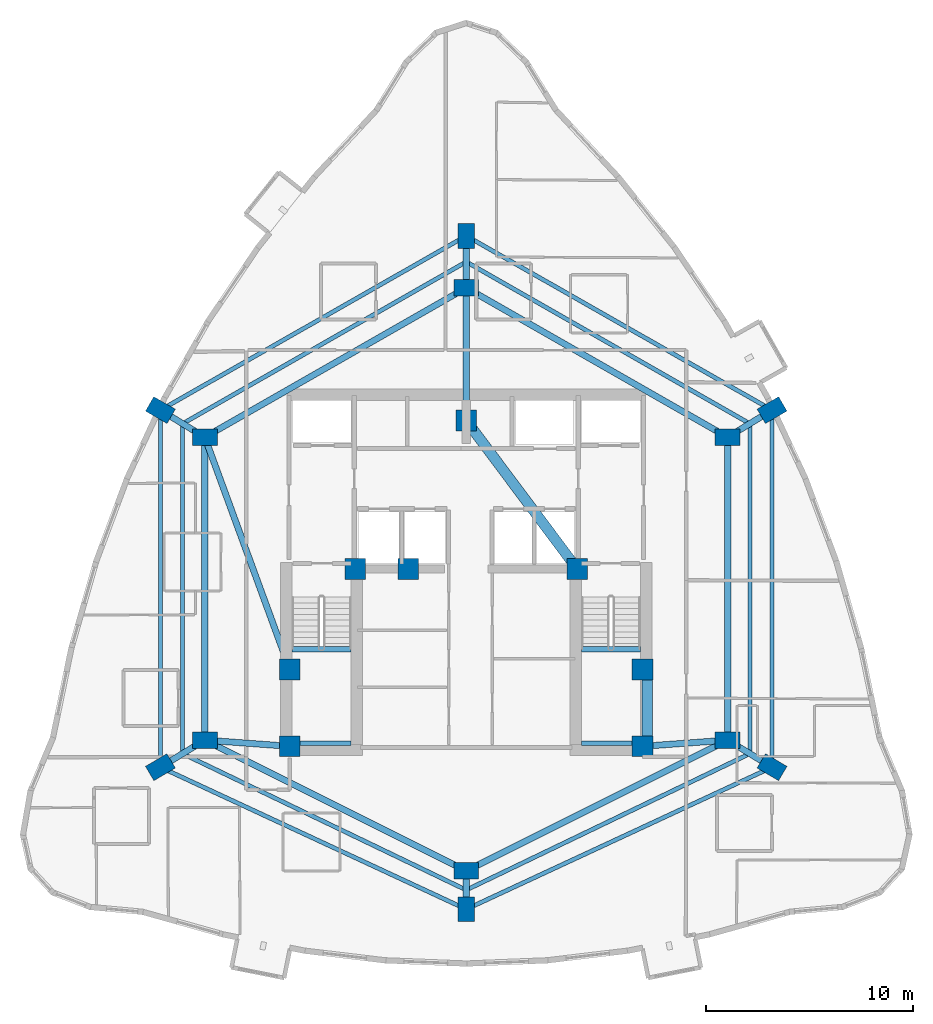
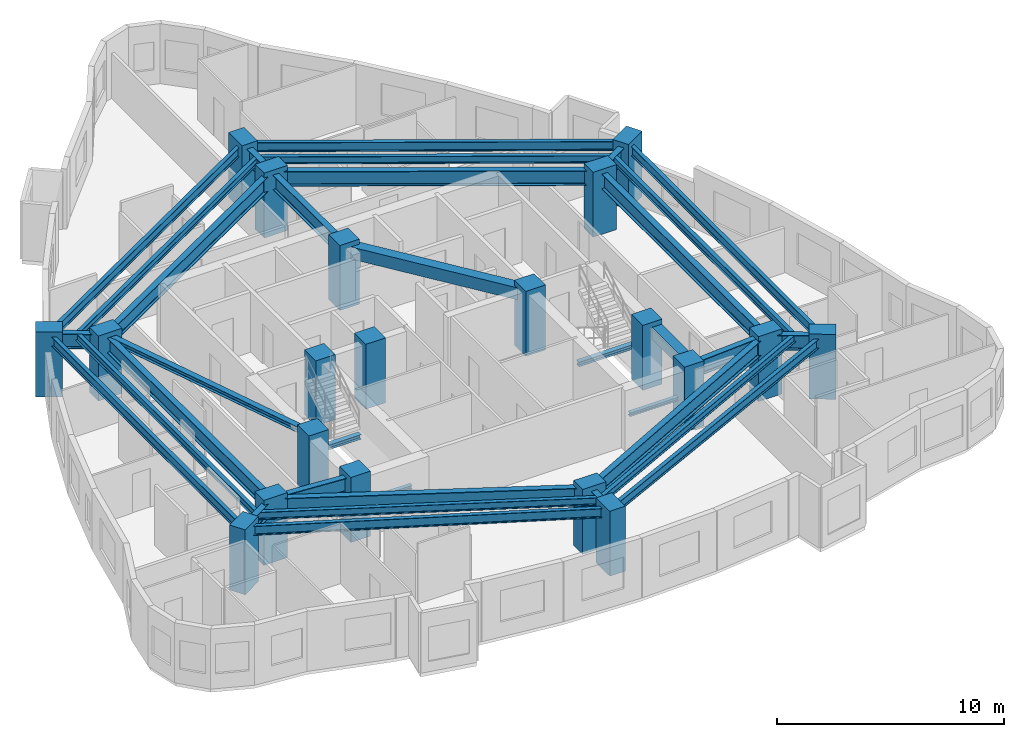
# One storey, part 1 of 11: 34 beams, 20 columns.
"""IFC4 building model written with IfcOpenShell, lengths in metres."""

from ifc_helpers import new_model, si_unit, direction, frame, origin, origin_2d, place, context, subcontext, project, spatial, rectangle, i_section, extrude, material, material_profile, profile_set, type_object, element, save


model = new_model("IFC4")

# Units and contexts
model_context = context("Model", 3, precision=1e-05, world=origin(), true_north=direction((0.0, 1.0)))
body_context = subcontext(model_context, "Body", "Model", "MODEL_VIEW")
ifc_project = project(units=[si_unit("LENGTHUNIT", "METRE"), si_unit("AREAUNIT", "SQUARE_METRE"), si_unit("VOLUMEUNIT", "CUBIC_METRE"), si_unit("PLANEANGLEUNIT", "RADIAN"), si_unit("MASSUNIT", "GRAM", prefix="KILO")], contexts=[model_context])

# Site, building, storey
site_placement = place(None, origin())
site = spatial("IfcSite", under=ifc_project, at=site_placement, CompositionType="ELEMENT")
building_placement = place(site_placement, origin())
building = spatial("IfcBuilding", under=site, at=building_placement, Name="Miruveldt Soraemaru", CompositionType="ELEMENT")
storey_placement = place(building_placement, frame((0.0, 0.0, 159.89990234375)))
storey = spatial("IfcBuildingStorey", under=building, at=storey_placement, Name="L44", CompositionType="ELEMENT", Elevation=159.89990234375)

# Columns
ifc_material_1 = material(Name="Concrete C60/75 (60 MPa)", Category="concrete")
ifc_material_profile_1 = material_profile(ifc_material_1, rectangle(XDim=1.0, YDim=1.0, at=origin_2d()), Name="Concrete C60/75 (60 MPa)", Category="concrete")
ifc_profile_set_1 = profile_set([ifc_material_profile_1], Name="Concrete C60/75 (60 MPa)")
column_type_1 = type_object("IfcColumnType", Name="COL-CORE-1000", PredefinedType="COLUMN", material=ifc_profile_set_1)
for number, where, z_axis, x_axis, name in (
    (1, (35.5, 35.5, 0.0), (0.0, 0.0, 1.0), (1.0, 0.0, 0.0), "L44 Structural Column CC1"),
    (2, (38.64990234375, 44.050048828125, 0.0), (0.0, 0.0, 1.0), (1.0, 0.0, 0.0), "L44 Structural Column CC2"),
    (3, (52.5, 35.5, 0.0), (0.0, 0.0, 1.0), (1.0, 0.0, 0.0), "L44 Structural Column CC3"),
    (4, (52.5, 39.199951171875, 0.0), (0.0, 0.0, 1.0), (1.0, 0.0, 0.0), "L44 Structural Column CC4"),
    (5, (49.35009765625, 44.050048828125, 0.0), (0.0, 0.0, 1.0), (1.0, 0.0, 0.0), "L44 Structural Column CC5"),
    (6, (44.0, 51.199951171875, 0.0), (0.0, 0.0, 1.0), (1.0, 0.0, 0.0), "L44 Structural Column CC6"),
    (7, (35.5, 39.199951171875, 0.0), (0.0, 0.0, 1.0), (1.0, 0.0, 0.0), "L44 Structural Column CC7"),
    (8, (41.199951171875, 44.050048828125, 0.0), (0.0, 0.0, 1.0), (1.0, 0.0, 0.0), "L44 Structural Column CC8"),
):
    element("IfcColumn", number, at=place(storey_placement, frame(where, z_axis=z_axis, x_axis=x_axis)), inside=storey, type_object=column_type_1, Name=name, PredefinedType="COLUMN", context=body_context, shape_type="SweptSolid", body=[
        extrude(rectangle(XDim=1.0, YDim=1.0, at=origin_2d()), origin(), (0.0, 0.0, 1.0), 3.5),
    ])
ifc_material_2 = material(Name="Concrete C70/85 (70 MPa)", Category="concrete")
ifc_material_profile_2 = material_profile(ifc_material_2, rectangle(XDim=1.199951171875, YDim=0.800048828125, at=origin_2d()), Name="Concrete C70/85 (70 MPa)", Category="concrete")
ifc_profile_set_2 = profile_set([ifc_material_profile_2], Name="Concrete C70/85 (70 MPa)")
column_type_2 = type_object("IfcColumnType", Name="COL-TW-Z2", PredefinedType="COLUMN", material=ifc_profile_set_2)
for number, where, z_axis, x_axis, name in (
    (9, (44.0, 57.60009765625, 0.0), (0.0, 0.0, 1.0), (1.0, 0.0, 0.0), "L44 Structural Column IR01"),
    (10, (56.60009765625, 50.39990234375, 0.0), (0.0, 0.0, 1.0), (1.0, 0.0, 0.0), "L44 Structural Column IR02"),
    (11, (56.60009765625, 35.800048828125, 0.0), (0.0, 0.0, 1.0), (1.0, 0.0, 0.0), "L44 Structural Column IR03"),
    (12, (44.0, 29.5, 0.0), (0.0, 0.0, 1.0), (1.0, 0.0, 0.0), "L44 Structural Column IR04"),
    (13, (31.39990234375, 35.800048828125, 0.0), (0.0, 0.0, 1.0), (1.0, 0.0, 0.0), "L44 Structural Column IR05"),
    (14, (31.39990234375, 50.39990234375, 0.0), (0.0, 0.0, 1.0), (1.0, 0.0, 0.0), "L44 Structural Column IR06"),
    (15, (44.0, 60.10595703125, 0.0), (0.0, 0.0, 1.0), (0.0, 1.0, 0.0), "L44 Structural Column Z2P01"),
    (16, (58.739990234375, 51.705078125, 0.0), (0.0, 0.0, 1.0), (0.866025403784, 0.5, 0.0), "L44 Structural Column Z2P02"),
    (17, (58.739990234375, 34.4951171875, 0.0), (0.0, 0.0, 1.0), (-0.860742027004, 0.50904141575, 0.0), "L44 Structural Column Z2P03"),
    (18, (44.0, 27.64697265625, 0.0), (0.0, 0.0, 1.0), (0.0, 1.0, 0.0), "L44 Structural Column Z2P04"),
    (19, (29.260009765625, 34.4951171875, 0.0), (0.0, 0.0, 1.0), (0.860742027004, 0.50904141575, 0.0), "L44 Structural Column Z2P05"),
    (20, (29.260009765625, 51.705078125, 0.0), (0.0, 0.0, 1.0), (-0.866025403784, 0.5, 0.0), "L44 Structural Column Z2P06"),
):
    element("IfcColumn", number, at=place(storey_placement, frame(where, z_axis=z_axis, x_axis=x_axis)), inside=storey, type_object=column_type_2, Name=name, PredefinedType="COLUMN", context=body_context, shape_type="SweptSolid", body=[
        extrude(rectangle(XDim=1.199951171875, YDim=0.800048828125, at=origin_2d()), origin(), (0.0, 0.0, 1.0), 3.5),
    ])

# Beams
ifc_material_3 = material(Name="Steel SM355 (355 MPa)", Category="steel")
ifc_material_profile_3 = material_profile(ifc_material_3, i_section(OverallWidth=0.300048828125, OverallDepth=0.300048828125, WebThickness=0.010009765625, FlangeThickness=0.014892578125, FilletRadius=0.01806640625, at=origin_2d()), Name="Steel SM355 (355 MPa)", Category="steel")
ifc_profile_set_3 = profile_set([ifc_material_profile_3], Name="Steel SM355 (355 MPa)")
beam_type_1 = type_object("IfcBeamType", Name="BM-LNT-H300", PredefinedType="LINTEL", material=ifc_profile_set_3)
beam_1_placement = place(storey_placement, frame((31.39990234375, 50.39990234375, 3.085205078125), z_axis=(0.343770424598, -0.939053723262, 0.0), x_axis=(0.939053723262, 0.343770424598, 0.0)))
element("IfcBeam", 21, at=beam_1_placement, inside=storey, type_object=beam_type_1, Name="L44 West Lobby Lintel", PredefinedType="LINTEL", context=body_context, shape_type="SweptSolid", body=[
    extrude(i_section(OverallWidth=0.300048828125, OverallDepth=0.300048828125, WebThickness=0.010009765625, FlangeThickness=0.014892578125, FilletRadius=0.01806640625, at=origin_2d()), origin(), (0.0, 0.0, 1.0), 11.9267578125),
])
ifc_material_4 = material(Name="Concrete C50/60 (50 MPa)", Category="concrete")
ifc_material_profile_4 = material_profile(ifc_material_4, rectangle(XDim=0.5, YDim=0.64990234375, at=origin_2d()), Name="Concrete C50/60 (50 MPa)", Category="concrete")
ifc_profile_set_4 = profile_set([ifc_material_profile_4], Name="Concrete C50/60 (50 MPa)")
beam_type_2 = type_object("IfcBeamType", Name="BM-RC-500x650", PredefinedType="BEAM", material=ifc_profile_set_4)
beam_2_placement = place(storey_placement, frame((52.72998046875, 35.5, 2.91015625), z_axis=(0.0, 1.0, 0.0), x_axis=(-1.0, 0.0, 0.0)))
element("IfcBeam", 22, at=beam_2_placement, inside=storey, type_object=beam_type_2, Name="L44 Core Tie Beam 3", PredefinedType="BEAM", context=body_context, shape_type="SweptSolid", body=[
    extrude(rectangle(XDim=0.5, YDim=0.64990234375, at=origin_2d()), origin(), (0.0, 0.0, 1.0), 3.699951171875),
])
beam_3_placement = place(storey_placement, frame((49.35009765625, 44.050048828125, 2.91015625), z_axis=(-0.599116023999, 0.800662219533, 0.0), x_axis=(-0.800662219533, -0.599116023999, 0.0)))
element("IfcBeam", 23, at=beam_3_placement, inside=storey, type_object=beam_type_2, Name="L44 Core Tie Beam 5", PredefinedType="BEAM", context=body_context, shape_type="SweptSolid", body=[
    extrude(rectangle(XDim=0.5, YDim=0.64990234375, at=origin_2d()), origin(), (0.0, 0.0, 1.0), 8.929931640625),
])
ifc_material_profile_5 = material_profile(ifc_material_3, i_section(OverallWidth=0.199951171875, OverallDepth=0.39990234375, WebThickness=0.008056640625, FlangeThickness=0.012939453125, FilletRadius=0.01611328125, at=origin_2d()), Name="Steel SM355 (355 MPa)", Category="steel")
ifc_profile_set_5 = profile_set([ifc_material_profile_5], Name="Steel SM355 (355 MPa)")
beam_type_3 = type_object("IfcBeamType", Name="BM-ST-H400", PredefinedType="JOIST", material=ifc_profile_set_5)
beam_4_placement = place(storey_placement, frame((44.0, 58.85302734375, 3.03515625), z_axis=(0.868539859756, -0.495619321672, 0.0), x_axis=(0.495619321672, 0.868539859756, 0.0)))
element("IfcBeam", 24, at=beam_4_placement, inside=storey, type_object=beam_type_3, Name="L44 Outer Bay Floor Joist 1", PredefinedType="JOIST", context=body_context, shape_type="SweptSolid", body=[
    extrude(i_section(OverallWidth=0.199951171875, OverallDepth=0.39990234375, WebThickness=0.008056640625, FlangeThickness=0.012939453125, FilletRadius=0.01611328125, at=origin_2d()), origin(), (0.0, 0.0, 1.0), 15.739013671875),
])
beam_5_placement = place(storey_placement, frame((57.669921875, 51.052490234375, 3.03515625), z_axis=(0.0, -1.0, 0.0), x_axis=(1.0, 0.0, 0.0)))
element("IfcBeam", 25, at=beam_5_placement, inside=storey, type_object=beam_type_3, Name="L44 Outer Bay Floor Joist 2", PredefinedType="JOIST", context=body_context, shape_type="SweptSolid", body=[
    extrude(i_section(OverallWidth=0.199951171875, OverallDepth=0.39990234375, WebThickness=0.008056640625, FlangeThickness=0.012939453125, FilletRadius=0.01611328125, at=origin_2d()), origin(), (0.0, 0.0, 1.0), 15.905029296875),
])
for number, where, z_axis, x_axis, name in (
    (26, (57.669921875, 35.1474609375, 3.03515625), (-0.901203586802, -0.433396002676, 0.0), (0.433396002676, -0.901203586802, 0.0), "L44 Outer Bay Floor Joist 3"),
    (27, (44.0, 28.573486328125, 3.03515625), (-0.901203586802, 0.433396002676, 0.0), (-0.433396002676, -0.901203586802, 0.0), "L44 Outer Bay Floor Joist 4"),
):
    element("IfcBeam", number, at=place(storey_placement, frame(where, z_axis=z_axis, x_axis=x_axis)), inside=storey, type_object=beam_type_3, Name=name, PredefinedType="JOIST", context=body_context, shape_type="SweptSolid", body=[
        extrude(i_section(OverallWidth=0.199951171875, OverallDepth=0.39990234375, WebThickness=0.008056640625, FlangeThickness=0.012939453125, FilletRadius=0.01611328125, at=origin_2d()), origin(), (0.0, 0.0, 1.0), 15.16845703125),
    ])
beam_6_placement = place(storey_placement, frame((30.330078125, 35.1474609375, 3.03515625), z_axis=(0.0, 1.0, 0.0), x_axis=(-1.0, 0.0, 0.0)))
element("IfcBeam", 28, at=beam_6_placement, inside=storey, type_object=beam_type_3, Name="L44 Outer Bay Floor Joist 5", PredefinedType="JOIST", context=body_context, shape_type="SweptSolid", body=[
    extrude(i_section(OverallWidth=0.199951171875, OverallDepth=0.39990234375, WebThickness=0.008056640625, FlangeThickness=0.012939453125, FilletRadius=0.01611328125, at=origin_2d()), origin(), (0.0, 0.0, 1.0), 15.905029296875),
])
beam_7_placement = place(storey_placement, frame((30.330078125, 51.052490234375, 3.03515625), z_axis=(0.868539859756, 0.495619321672, 0.0), x_axis=(-0.495619321672, 0.868539859756, 0.0)))
element("IfcBeam", 29, at=beam_7_placement, inside=storey, type_object=beam_type_3, Name="L44 Outer Bay Floor Joist 6", PredefinedType="JOIST", context=body_context, shape_type="SweptSolid", body=[
    extrude(i_section(OverallWidth=0.199951171875, OverallDepth=0.39990234375, WebThickness=0.008056640625, FlangeThickness=0.012939453125, FilletRadius=0.01611328125, at=origin_2d()), origin(), (0.0, 0.0, 1.0), 15.739013671875),
])
ifc_material_profile_6 = material_profile(ifc_material_3, i_section(OverallWidth=0.199951171875, OverallDepth=0.5, WebThickness=0.010009765625, FlangeThickness=0.01611328125, FilletRadius=0.02001953125, at=origin_2d()), Name="Steel SM355 (355 MPa)", Category="steel")
ifc_profile_set_6 = profile_set([ifc_material_profile_6], Name="Steel SM355 (355 MPa)")
beam_type_4 = type_object("IfcBeamType", Name="BM-ST-H500", PredefinedType="SPANDREL", material=ifc_profile_set_6)
beam_8_placement = place(storey_placement, frame((44.0, 60.10595703125, 2.985107421875), z_axis=(0.86880048516, -0.495162313778, 0.0), x_axis=(0.495162313778, 0.86880048516, 0.0)))
element("IfcBeam", 30, at=beam_8_placement, inside=storey, type_object=beam_type_4, Name="L44 Zone-2 Spandrel Beam 1", PredefinedType="SPANDREL", context=body_context, shape_type="SweptSolid", body=[
    extrude(i_section(OverallWidth=0.199951171875, OverallDepth=0.5, WebThickness=0.010009765625, FlangeThickness=0.01611328125, FilletRadius=0.02001953125, at=origin_2d()), origin(), (0.0, 0.0, 1.0), 16.9658203125),
])
beam_9_placement = place(storey_placement, frame((58.739990234375, 51.705078125, 2.985107421875), z_axis=(0.0, -1.0, 0.0), x_axis=(1.0, 0.0, 0.0)))
element("IfcBeam", 31, at=beam_9_placement, inside=storey, type_object=beam_type_4, Name="L44 Zone-2 Spandrel Beam 2", PredefinedType="SPANDREL", context=body_context, shape_type="SweptSolid", body=[
    extrude(i_section(OverallWidth=0.199951171875, OverallDepth=0.5, WebThickness=0.010009765625, FlangeThickness=0.01611328125, FilletRadius=0.02001953125, at=origin_2d()), origin(), (0.0, 0.0, 1.0), 17.2099609375),
])
for number, where, z_axis, x_axis, name in (
    (32, (58.739990234375, 34.4951171875, 2.985107421875), (-0.906901362829, -0.421342993414, 0.0), (0.421342993414, -0.906901362829, 0.0), "L44 Zone-2 Spandrel Beam 3"),
    (33, (44.0, 27.64697265625, 2.985107421875), (-0.906901362829, 0.421342993414, 0.0), (-0.421342993414, -0.906901362829, 0.0), "L44 Zone-2 Spandrel Beam 4"),
):
    element("IfcBeam", number, at=place(storey_placement, frame(where, z_axis=z_axis, x_axis=x_axis)), inside=storey, type_object=beam_type_4, Name=name, PredefinedType="SPANDREL", context=body_context, shape_type="SweptSolid", body=[
        extrude(i_section(OverallWidth=0.199951171875, OverallDepth=0.5, WebThickness=0.010009765625, FlangeThickness=0.01611328125, FilletRadius=0.02001953125, at=origin_2d()), origin(), (0.0, 0.0, 1.0), 16.253173828125),
    ])
beam_10_placement = place(storey_placement, frame((29.260009765625, 34.4951171875, 2.985107421875), z_axis=(0.0, 1.0, 0.0), x_axis=(-1.0, 0.0, 0.0)))
element("IfcBeam", 34, at=beam_10_placement, inside=storey, type_object=beam_type_4, Name="L44 Zone-2 Spandrel Beam 5", PredefinedType="SPANDREL", context=body_context, shape_type="SweptSolid", body=[
    extrude(i_section(OverallWidth=0.199951171875, OverallDepth=0.5, WebThickness=0.010009765625, FlangeThickness=0.01611328125, FilletRadius=0.02001953125, at=origin_2d()), origin(), (0.0, 0.0, 1.0), 17.2099609375),
])
beam_11_placement = place(storey_placement, frame((29.260009765625, 51.705078125, 2.985107421875), z_axis=(0.86880048516, 0.495162313778, 0.0), x_axis=(-0.495162313778, 0.86880048516, 0.0)))
element("IfcBeam", 35, at=beam_11_placement, inside=storey, type_object=beam_type_4, Name="L44 Zone-2 Spandrel Beam 6", PredefinedType="SPANDREL", context=body_context, shape_type="SweptSolid", body=[
    extrude(i_section(OverallWidth=0.199951171875, OverallDepth=0.5, WebThickness=0.010009765625, FlangeThickness=0.01611328125, FilletRadius=0.02001953125, at=origin_2d()), origin(), (0.0, 0.0, 1.0), 16.9658203125),
])
ifc_material_5 = material(Name="Steel S460 (460 MPa)", Category="steel")
ifc_material_profile_7 = material_profile(ifc_material_5, i_section(OverallWidth=0.300048828125, OverallDepth=0.800048828125, WebThickness=0.013916015625, FlangeThickness=0.02587890625, FilletRadius=0.028076171875, at=origin_2d()), Name="Steel S460 (460 MPa)", Category="steel")
ifc_profile_set_7 = profile_set([ifc_material_profile_7], Name="Steel S460 (460 MPa)")
beam_type_5 = type_object("IfcBeamType", Name="BM-ST-H800", PredefinedType="BEAM", material=ifc_profile_set_7)
beam_12_placement = place(storey_placement, frame((44.0, 57.60009765625, 2.835205078125), z_axis=(0.868239001029, -0.496146185203, 0.0), x_axis=(0.496146185203, 0.868239001029, 0.0)))
element("IfcBeam", 36, at=beam_12_placement, inside=storey, type_object=beam_type_5, Name="L44 Inner Ring Girder 1", PredefinedType="BEAM", context=body_context, shape_type="SweptSolid", body=[
    extrude(i_section(OverallWidth=0.300048828125, OverallDepth=0.800048828125, WebThickness=0.013916015625, FlangeThickness=0.02587890625, FilletRadius=0.028076171875, at=origin_2d()), origin(), (0.0, 0.0, 1.0), 14.51220703125),
])
beam_13_placement = place(storey_placement, frame((44.0, 51.199951171875, 2.835205078125), z_axis=(0.0, 1.0, 0.0), x_axis=(-1.0, 0.0, 0.0)))
element("IfcBeam", 37, at=beam_13_placement, inside=storey, type_object=beam_type_5, Name="L44 Core-to-Inner Radial Girder 1", PredefinedType="BEAM", context=body_context, shape_type="SweptSolid", body=[
    extrude(i_section(OverallWidth=0.300048828125, OverallDepth=0.800048828125, WebThickness=0.013916015625, FlangeThickness=0.02587890625, FilletRadius=0.028076171875, at=origin_2d()), origin(), (0.0, 0.0, 1.0), 6.400146484375),
])
beam_14_placement = place(storey_placement, frame((56.60009765625, 50.39990234375, 2.835205078125), z_axis=(0.0, -1.0, 0.0), x_axis=(1.0, 0.0, 0.0)))
element("IfcBeam", 38, at=beam_14_placement, inside=storey, type_object=beam_type_5, Name="L44 Inner Ring Girder 2", PredefinedType="BEAM", context=body_context, shape_type="SweptSolid", body=[
    extrude(i_section(OverallWidth=0.300048828125, OverallDepth=0.800048828125, WebThickness=0.013916015625, FlangeThickness=0.02587890625, FilletRadius=0.028076171875, at=origin_2d()), origin(), (0.0, 0.0, 1.0), 14.599853515625),
])
beam_15_placement = place(storey_placement, frame((56.60009765625, 35.800048828125, 2.835205078125), z_axis=(-0.894427191, -0.4472135955, 0.0), x_axis=(0.4472135955, -0.894427191, 0.0)))
element("IfcBeam", 39, at=beam_15_placement, inside=storey, type_object=beam_type_5, Name="L44 Inner Ring Girder 3", PredefinedType="BEAM", context=body_context, shape_type="SweptSolid", body=[
    extrude(i_section(OverallWidth=0.300048828125, OverallDepth=0.800048828125, WebThickness=0.013916015625, FlangeThickness=0.02587890625, FilletRadius=0.028076171875, at=origin_2d()), origin(), (0.0, 0.0, 1.0), 14.08740234375),
])
beam_16_placement = place(storey_placement, frame((52.5, 35.5, 2.835205078125), z_axis=(0.997332985605, 0.072985723431, 0.0), x_axis=(-0.072985723431, 0.997332985605, 0.0)))
element("IfcBeam", 40, at=beam_16_placement, inside=storey, type_object=beam_type_5, Name="L44 Core-to-Inner Radial Girder 3", PredefinedType="BEAM", context=body_context, shape_type="SweptSolid", body=[
    extrude(i_section(OverallWidth=0.300048828125, OverallDepth=0.800048828125, WebThickness=0.013916015625, FlangeThickness=0.02587890625, FilletRadius=0.028076171875, at=origin_2d()), origin(), (0.0, 0.0, 1.0), 4.111083984375),
])
beam_17_placement = place(storey_placement, frame((44.0, 29.5, 2.835205078125), z_axis=(-0.894427191, 0.4472135955, 0.0), x_axis=(-0.4472135955, -0.894427191, 0.0)))
element("IfcBeam", 41, at=beam_17_placement, inside=storey, type_object=beam_type_5, Name="L44 Inner Ring Girder 4", PredefinedType="BEAM", context=body_context, shape_type="SweptSolid", body=[
    extrude(i_section(OverallWidth=0.300048828125, OverallDepth=0.800048828125, WebThickness=0.013916015625, FlangeThickness=0.02587890625, FilletRadius=0.028076171875, at=origin_2d()), origin(), (0.0, 0.0, 1.0), 14.08740234375),
])
beam_18_placement = place(storey_placement, frame((31.39990234375, 35.800048828125, 2.835205078125), z_axis=(0.0, 1.0, 0.0), x_axis=(-1.0, 0.0, 0.0)))
element("IfcBeam", 42, at=beam_18_placement, inside=storey, type_object=beam_type_5, Name="L44 Inner Ring Girder 5", PredefinedType="BEAM", context=body_context, shape_type="SweptSolid", body=[
    extrude(i_section(OverallWidth=0.300048828125, OverallDepth=0.800048828125, WebThickness=0.013916015625, FlangeThickness=0.02587890625, FilletRadius=0.028076171875, at=origin_2d()), origin(), (0.0, 0.0, 1.0), 14.599853515625),
])
beam_19_placement = place(storey_placement, frame((35.5, 35.5, 2.835205078125), z_axis=(-0.997332985605, 0.072985723431, 0.0), x_axis=(-0.072985723431, -0.997332985605, 0.0)))
element("IfcBeam", 43, at=beam_19_placement, inside=storey, type_object=beam_type_5, Name="L44 Core-to-Inner Radial Girder 5", PredefinedType="BEAM", context=body_context, shape_type="SweptSolid", body=[
    extrude(i_section(OverallWidth=0.300048828125, OverallDepth=0.800048828125, WebThickness=0.013916015625, FlangeThickness=0.02587890625, FilletRadius=0.028076171875, at=origin_2d()), origin(), (0.0, 0.0, 1.0), 4.111083984375),
])
beam_20_placement = place(storey_placement, frame((31.39990234375, 50.39990234375, 2.835205078125), z_axis=(0.868239001029, 0.496146185203, 0.0), x_axis=(-0.496146185203, 0.868239001029, 0.0)))
element("IfcBeam", 44, at=beam_20_placement, inside=storey, type_object=beam_type_5, Name="L44 Inner Ring Girder 6", PredefinedType="BEAM", context=body_context, shape_type="SweptSolid", body=[
    extrude(i_section(OverallWidth=0.300048828125, OverallDepth=0.800048828125, WebThickness=0.013916015625, FlangeThickness=0.02587890625, FilletRadius=0.028076171875, at=origin_2d()), origin(), (0.0, 0.0, 1.0), 14.51220703125),
])
beam_21_placement = place(storey_placement, frame((44.0, 57.60009765625, 2.835205078125), z_axis=(0.0, 1.0, 0.0), x_axis=(-1.0, 0.0, 0.0)))
element("IfcBeam", 45, at=beam_21_placement, inside=storey, type_object=beam_type_5, Name="L44 Zone-2 Radial Girder 1", PredefinedType="BEAM", context=body_context, shape_type="SweptSolid", body=[
    extrude(i_section(OverallWidth=0.300048828125, OverallDepth=0.800048828125, WebThickness=0.013916015625, FlangeThickness=0.02587890625, FilletRadius=0.028076171875, at=origin_2d()), origin(), (0.0, 0.0, 1.0), 2.505859375),
])
beam_22_placement = place(storey_placement, frame((56.60009765625, 50.39990234375, 2.835205078125), z_axis=(0.85373175529, 0.520713059188, 0.0), x_axis=(-0.520713059188, 0.85373175529, 0.0)))
element("IfcBeam", 46, at=beam_22_placement, inside=storey, type_object=beam_type_5, Name="L44 Zone-2 Radial Girder 2", PredefinedType="BEAM", context=body_context, shape_type="SweptSolid", body=[
    extrude(i_section(OverallWidth=0.300048828125, OverallDepth=0.800048828125, WebThickness=0.013916015625, FlangeThickness=0.02587890625, FilletRadius=0.028076171875, at=origin_2d()), origin(), (0.0, 0.0, 1.0), 2.506591796875),
])
beam_23_placement = place(storey_placement, frame((56.60009765625, 35.800048828125, 2.835205078125), z_axis=(0.853775054686, -0.5206420613, 0.0), x_axis=(0.5206420613, 0.853775054686, 0.0)))
element("IfcBeam", 47, at=beam_23_placement, inside=storey, type_object=beam_type_5, Name="L44 Zone-2 Radial Girder 3", PredefinedType="BEAM", context=body_context, shape_type="SweptSolid", body=[
    extrude(i_section(OverallWidth=0.300048828125, OverallDepth=0.800048828125, WebThickness=0.013916015625, FlangeThickness=0.02587890625, FilletRadius=0.028076171875, at=origin_2d()), origin(), (0.0, 0.0, 1.0), 2.50634765625),
])
beam_24_placement = place(storey_placement, frame((44.0, 29.5, 2.835205078125), z_axis=(0.0, -1.0, 0.0), x_axis=(1.0, 0.0, 0.0)))
element("IfcBeam", 48, at=beam_24_placement, inside=storey, type_object=beam_type_5, Name="L44 Zone-2 Radial Girder 4", PredefinedType="BEAM", context=body_context, shape_type="SweptSolid", body=[
    extrude(i_section(OverallWidth=0.300048828125, OverallDepth=0.800048828125, WebThickness=0.013916015625, FlangeThickness=0.02587890625, FilletRadius=0.028076171875, at=origin_2d()), origin(), (0.0, 0.0, 1.0), 1.85302734375),
])
beam_25_placement = place(storey_placement, frame((31.39990234375, 35.800048828125, 2.835205078125), z_axis=(-0.853775054686, -0.5206420613, 0.0), x_axis=(0.5206420613, -0.853775054686, 0.0)))
element("IfcBeam", 49, at=beam_25_placement, inside=storey, type_object=beam_type_5, Name="L44 Zone-2 Radial Girder 5", PredefinedType="BEAM", context=body_context, shape_type="SweptSolid", body=[
    extrude(i_section(OverallWidth=0.300048828125, OverallDepth=0.800048828125, WebThickness=0.013916015625, FlangeThickness=0.02587890625, FilletRadius=0.028076171875, at=origin_2d()), origin(), (0.0, 0.0, 1.0), 2.50634765625),
])
beam_26_placement = place(storey_placement, frame((31.39990234375, 50.39990234375, 2.835205078125), z_axis=(-0.85373175529, 0.520713059188, 0.0), x_axis=(-0.520713059188, -0.85373175529, 0.0)))
element("IfcBeam", 50, at=beam_26_placement, inside=storey, type_object=beam_type_5, Name="L44 Zone-2 Radial Girder 6", PredefinedType="BEAM", context=body_context, shape_type="SweptSolid", body=[
    extrude(i_section(OverallWidth=0.300048828125, OverallDepth=0.800048828125, WebThickness=0.013916015625, FlangeThickness=0.02587890625, FilletRadius=0.028076171875, at=origin_2d()), origin(), (0.0, 0.0, 1.0), 2.506591796875),
])
ifc_material_profile_8 = material_profile(ifc_material_3, i_section(OverallWidth=0.199951171875, OverallDepth=0.199951171875, WebThickness=0.008056640625, FlangeThickness=0.011962890625, FilletRadius=0.012939453125, at=origin_2d()), Name="Steel SM355 (355 MPa)", Category="steel")
ifc_profile_set_8 = profile_set([ifc_material_profile_8], Name="Steel SM355 (355 MPa)")
beam_type_6 = type_object("IfcBeamType", Name="BM-ST-LND200", PredefinedType="BEAM", material=ifc_profile_set_8)
for number, where, z_axis, x_axis, name in (
    (51, (35.60009765625, 35.64990234375, 1.4501953125), (1.0, 0.0, 0.0), (0.0, 1.0, 0.0), "L44 ST1 Landing End Beam 1B"),
    (52, (49.550048828125, 35.64990234375, 1.4501953125), (1.0, 0.0, 0.0), (0.0, 1.0, 0.0), "L44 ST2 Landing End Beam 1B"),
):
    element("IfcBeam", number, at=place(storey_placement, frame(where, z_axis=z_axis, x_axis=x_axis)), inside=storey, type_object=beam_type_6, Name=name, PredefinedType="BEAM", context=body_context, shape_type="SweptSolid", body=[
        extrude(i_section(OverallWidth=0.199951171875, OverallDepth=0.199951171875, WebThickness=0.008056640625, FlangeThickness=0.011962890625, FilletRadius=0.012939453125, at=origin_2d()), origin(), (0.0, 0.0, 1.0), 2.849853515625),
    ])
ifc_material_profile_9 = material_profile(ifc_material_3, i_section(OverallWidth=0.25, OverallDepth=0.25, WebThickness=0.009033203125, FlangeThickness=0.013916015625, FilletRadius=0.01611328125, at=origin_2d()), Name="Steel SM355 (355 MPa)", Category="steel")
ifc_profile_set_9 = profile_set([ifc_material_profile_9], Name="Steel SM355 (355 MPa)")
beam_type_7 = type_object("IfcBeamType", Name="BM-ST-LND250", PredefinedType="BEAM", material=ifc_profile_set_9)
for number, where, z_axis, x_axis, name in (
    (53, (35.60009765625, 40.179931640625, 1.425048828125), (1.0, 0.0, 0.0), (0.0, 1.0, 0.0), "L44 ST1 Landing Support Beam 1A"),
    (54, (49.550048828125, 40.179931640625, 1.425048828125), (1.0, 0.0, 0.0), (0.0, 1.0, 0.0), "L44 ST2 Landing Support Beam 1A"),
):
    element("IfcBeam", number, at=place(storey_placement, frame(where, z_axis=z_axis, x_axis=x_axis)), inside=storey, type_object=beam_type_7, Name=name, PredefinedType="BEAM", context=body_context, shape_type="SweptSolid", body=[
        extrude(i_section(OverallWidth=0.25, OverallDepth=0.25, WebThickness=0.009033203125, FlangeThickness=0.013916015625, FilletRadius=0.01611328125, at=origin_2d()), origin(), (0.0, 0.0, 1.0), 2.849853515625),
    ])

save(model, "model.ifc")
